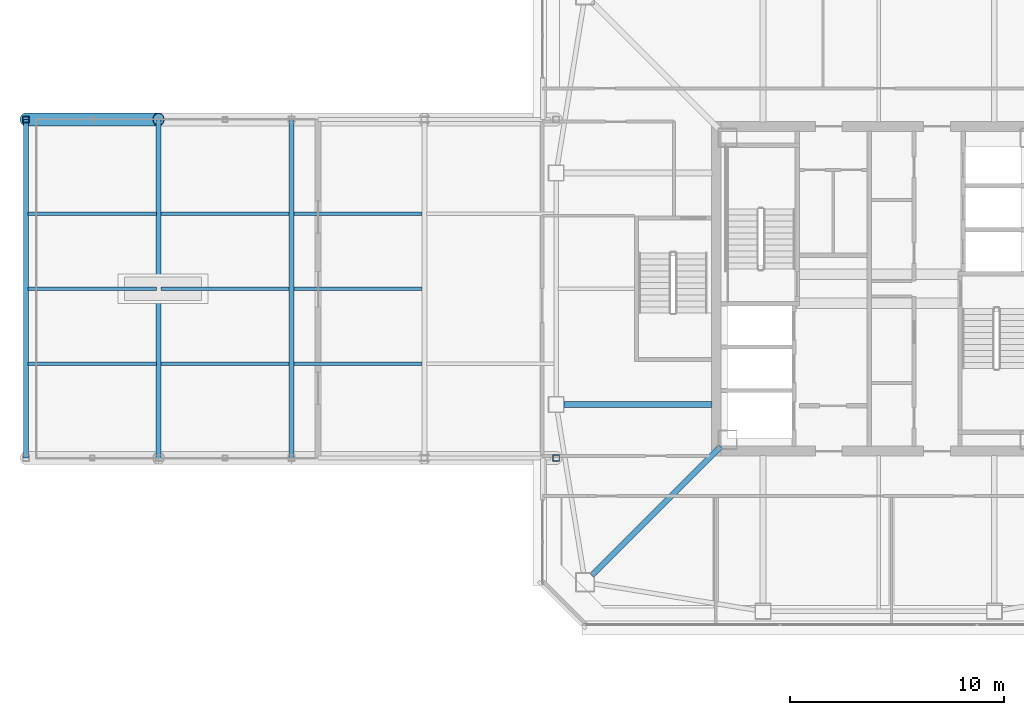
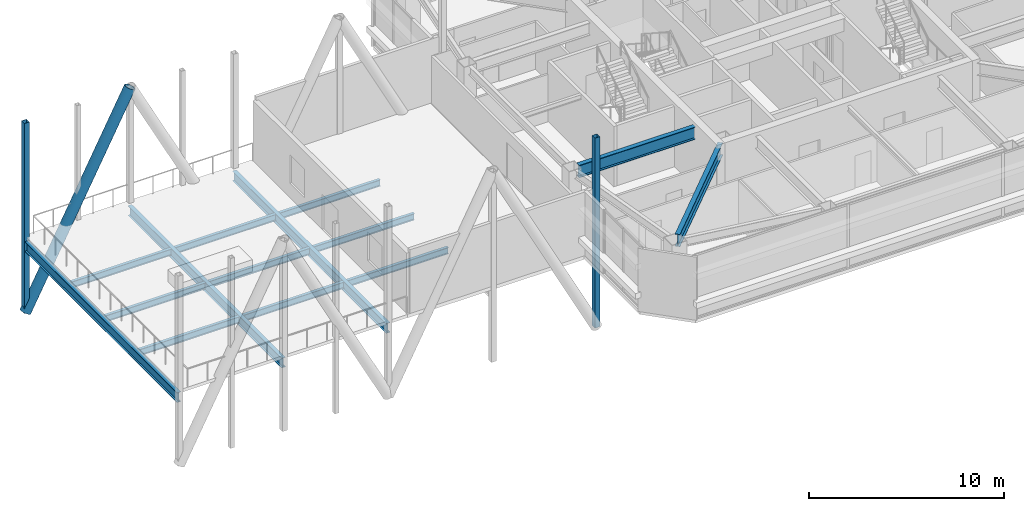
# One storey, part 7 of 53: 14 beams, 3 members.
"""IFC4 building model written with IfcOpenShell, lengths in metres."""

from ifc_helpers import new_model, si_unit, direction, frame, origin, origin_2d, place, context, subcontext, project, spatial, hollow_rectangle, hollow_circle, i_section, extrude, material, material_profile, profile_set, type_object, element, save


model = new_model("IFC4")

# Units and contexts
model_context = context("Model", 3, precision=1e-05, world=origin(), true_north=direction((0.0, 1.0)))
body_context = subcontext(model_context, "Body", "Model", "MODEL_VIEW")
ifc_project = project(units=[si_unit("LENGTHUNIT", "METRE"), si_unit("AREAUNIT", "SQUARE_METRE"), si_unit("VOLUMEUNIT", "CUBIC_METRE"), si_unit("PLANEANGLEUNIT", "RADIAN"), si_unit("MASSUNIT", "GRAM", prefix="KILO")], contexts=[model_context])

# Site, building, storey
site_placement = place(None, origin())
site = spatial("IfcSite", under=ifc_project, at=site_placement, CompositionType="ELEMENT")
building_placement = place(site_placement, origin())
building = spatial("IfcBuilding", under=site, at=building_placement, Name="Tashvorn Skyway Center", CompositionType="ELEMENT")
storey_placement = place(building_placement, frame((0.0, 0.0, 255.39990234375)))
storey = spatial("IfcBuildingStorey", under=building, at=storey_placement, Name="L69", CompositionType="ELEMENT", Elevation=255.39990234375)

# Beams
ifc_material_1 = material(Name="Steel ASTM A992 Grade 50", Category="steel")
ifc_material_profile_1 = material_profile(ifc_material_1, i_section(OverallWidth=0.22998046875, OverallDepth=0.616943359375, WebThickness=0.01318359375, FlangeThickness=0.022216796875, at=origin_2d()), Name="W24X94")
ifc_profile_set_1 = profile_set([ifc_material_profile_1], Name="Steel ASTM A992 Grade 50")
beam_type_1 = type_object("IfcBeamType", Name="BM-BEAM-W24X94", PredefinedType="BEAM", material=ifc_profile_set_1)
for number, where, z_axis, x_axis, name in (
    (1, (2.199951171875, 24.10009765625, -0.5283203125), (0.0, 1.0, 0.0), (-1.0, 0.0, 0.0), "Sky-Park L69 Transverse Floor Beam 01"),
    (2, (8.39990234375, 24.10009765625, -0.5283203125), (0.0, 1.0, 0.0), (-1.0, 0.0, 0.0), "Sky-Park L69 Transverse Floor Beam 02"),
    (3, (14.60009765625, 24.10009765625, -0.5283203125), (0.0, 1.0, 0.0), (-1.0, 0.0, 0.0), "Sky-Park L69 Transverse Floor Beam 03"),
):
    element("IfcBeam", number, at=place(storey_placement, frame(where, z_axis=z_axis, x_axis=x_axis)), inside=storey, type_object=beam_type_1, Name=name, PredefinedType="BEAM", context=body_context, shape_type="SweptSolid", body=[
        extrude(i_section(OverallWidth=0.22998046875, OverallDepth=0.616943359375, WebThickness=0.01318359375, FlangeThickness=0.022216796875, at=origin_2d()), origin(), (0.0, 0.0, 1.0), 15.7998046875),
    ])
ifc_material_profile_2 = material_profile(ifc_material_1, i_section(OverallWidth=0.26708984375, OverallDepth=0.779052734375, WebThickness=0.0166015625, FlangeThickness=0.030029296875, at=origin_2d()), Name="W30X148")
ifc_profile_set_2 = profile_set([ifc_material_profile_2], Name="Steel ASTM A992 Grade 50")
beam_type_2 = type_object("IfcBeamType", Name="BM-BEAM-W30X148", PredefinedType="BEAM", material=ifc_profile_set_2)
beam_1_placement = place(storey_placement, frame((28.61474609375, 18.61474609375, 3.390625), z_axis=(0.707106781187, 0.707106781187, 0.0), x_axis=(-0.707106781187, 0.707106781187, 0.0)))
element("IfcBeam", 4, at=beam_1_placement, inside=storey, type_object=beam_type_2, Name="Tower 1 L69 Primary Floor Girder MC-SW", PredefinedType="BEAM", context=body_context, shape_type="SweptSolid", body=[
    extrude(i_section(OverallWidth=0.26708984375, OverallDepth=0.779052734375, WebThickness=0.0166015625, FlangeThickness=0.030029296875, at=origin_2d()), origin(), (0.0, 0.0, 1.0), 8.514404296875),
])
beam_2_placement = place(storey_placement, frame((27.320068359375, 26.60009765625, 3.390625), z_axis=(1.0, 0.0, 0.0), x_axis=(0.0, 1.0, 0.0)))
element("IfcBeam", 5, at=beam_2_placement, inside=storey, type_object=beam_type_2, Name="Tower 1 L69 Primary Floor Girder FC-W2", PredefinedType="BEAM", context=body_context, shape_type="SweptSolid", body=[
    extrude(i_section(OverallWidth=0.26708984375, OverallDepth=0.779052734375, WebThickness=0.0166015625, FlangeThickness=0.030029296875, at=origin_2d()), origin(), (0.0, 0.0, 1.0), 6.89990234375),
])
ifc_material_profile_3 = material_profile(ifc_material_1, i_section(OverallWidth=0.177978515625, OverallDepth=0.406005859375, WebThickness=0.0078125, FlangeThickness=0.0126953125, at=origin_2d()), Name="W16X40")
ifc_profile_set_3 = profile_set([ifc_material_profile_3], Name="Steel ASTM A992 Grade 50")
beam_type_3 = type_object("IfcBeamType", Name="BM-JOIST-W16X40", PredefinedType="JOIST", material=ifc_profile_set_3)
for number, where, z_axis, x_axis, name in (
    (6, (2.306884765625, 28.5, -0.4228515625), (1.0, 0.0, 0.0), (0.0, 1.0, 0.0), "Sky-Park L69 Longitudinal Joist 01-1"),
    (7, (2.306884765625, 32.0, -0.4228515625), (1.0, 0.0, 0.0), (0.0, 1.0, 0.0), "Sky-Park L69 Longitudinal Joist 01-2"),
    (8, (2.306884765625, 35.5, -0.4228515625), (1.0, 0.0, 0.0), (0.0, 1.0, 0.0), "Sky-Park L69 Longitudinal Joist 01-3"),
):
    element("IfcBeam", number, at=place(storey_placement, frame(where, z_axis=z_axis, x_axis=x_axis)), inside=storey, type_object=beam_type_3, Name=name, PredefinedType="JOIST", context=body_context, shape_type="SweptSolid", body=[
        extrude(i_section(OverallWidth=0.177978515625, OverallDepth=0.406005859375, WebThickness=0.0078125, FlangeThickness=0.0126953125, at=origin_2d()), origin(), (0.0, 0.0, 1.0), 5.986083984375),
    ])
for number, where, z_axis, x_axis, name in (
    (9, (8.507080078125, 28.5, -0.4228515625), (1.0, 0.0, 0.0), (0.0, 1.0, 0.0), "Sky-Park L69 Longitudinal Joist 02-1"),
    (10, (8.507080078125, 32.0, -0.4228515625), (1.0, 0.0, 0.0), (0.0, 1.0, 0.0), "Sky-Park L69 Longitudinal Joist 02-2"),
    (11, (8.507080078125, 35.5, -0.4228515625), (1.0, 0.0, 0.0), (0.0, 1.0, 0.0), "Sky-Park L69 Longitudinal Joist 02-3"),
):
    element("IfcBeam", number, at=place(storey_placement, frame(where, z_axis=z_axis, x_axis=x_axis)), inside=storey, type_object=beam_type_3, Name=name, PredefinedType="JOIST", context=body_context, shape_type="SweptSolid", body=[
        extrude(i_section(OverallWidth=0.177978515625, OverallDepth=0.406005859375, WebThickness=0.0078125, FlangeThickness=0.0126953125, at=origin_2d()), origin(), (0.0, 0.0, 1.0), 5.98583984375),
    ])
for number, where, z_axis, x_axis, name in (
    (12, (14.70703125, 28.5, -0.4228515625), (1.0, 0.0, 0.0), (0.0, 1.0, 0.0), "Sky-Park L69 Longitudinal Joist 03-1"),
    (13, (14.70703125, 32.0, -0.4228515625), (1.0, 0.0, 0.0), (0.0, 1.0, 0.0), "Sky-Park L69 Longitudinal Joist 03-2"),
    (14, (14.70703125, 35.5, -0.4228515625), (1.0, 0.0, 0.0), (0.0, 1.0, 0.0), "Sky-Park L69 Longitudinal Joist 03-3"),
):
    element("IfcBeam", number, at=place(storey_placement, frame(where, z_axis=z_axis, x_axis=x_axis)), inside=storey, type_object=beam_type_3, Name=name, PredefinedType="JOIST", context=body_context, shape_type="SweptSolid", body=[
        extrude(i_section(OverallWidth=0.177978515625, OverallDepth=0.406005859375, WebThickness=0.0078125, FlangeThickness=0.0126953125, at=origin_2d()), origin(), (0.0, 0.0, 1.0), 5.986083984375),
    ])

# Members
ifc_material_2 = material(Name="Steel ASTM A572 Grade 50", Category="steel")
ifc_material_profile_4 = material_profile(ifc_material_2, hollow_circle(Radius=0.304931640625, WallThickness=0.02490234375, at=origin_2d()), Name="CHS610x25")
ifc_profile_set_4 = profile_set([ifc_material_profile_4], Name="Steel ASTM A572 Grade 50")
member_type_1 = type_object("IfcMemberType", Name="MEM-SP-DIA-610", PredefinedType="BRACE", material=ifc_profile_set_4)
member_placement = place(storey_placement, frame((2.199951171875, 39.89990234375, -4.725341796875), z_axis=(0.461445990735, 0.0, 0.88716830288), x_axis=(0.0, 1.0, 0.0)))
element("IfcMember", 15, at=member_placement, inside=storey, type_object=member_type_1, Name="Sky-Park Truss 2 Web Diagonal 01", PredefinedType="BRACE", context=body_context, shape_type="SweptSolid", body=[
    extrude(hollow_circle(Radius=0.304931640625, WallThickness=0.02490234375, at=origin_2d()), origin(), (0.0, 0.0, 1.0), 13.43603515625),
])
ifc_material_profile_5 = material_profile(ifc_material_2, hollow_rectangle(XDim=0.300048828125, YDim=0.300048828125, WallThickness=0.012451171875, at=origin_2d()), Name="HSS300x300x12.5")
ifc_profile_set_5 = profile_set([ifc_material_profile_5], Name="Steel ASTM A572 Grade 50")
member_type_2 = type_object("IfcMemberType", Name="MEM-SP-PST-300", PredefinedType="POST", material=ifc_profile_set_5)
for number, where, z_axis, x_axis, name in (
    (16, (26.949951171875, 24.10009765625, -4.725341796875), (0.0, 0.0, 1.0), (1.0, 0.0, 0.0), "Sky-Park Truss 1 Vertical Post 05"),
    (17, (2.199951171875, 39.89990234375, -4.725341796875), (0.0, 0.0, 1.0), (1.0, 0.0, 0.0), "Sky-Park Truss 2 Vertical Post 01"),
):
    element("IfcMember", number, at=place(storey_placement, frame(where, z_axis=z_axis, x_axis=x_axis)), inside=storey, type_object=member_type_2, Name=name, PredefinedType="POST", context=body_context, shape_type="SweptSolid", body=[
        extrude(hollow_rectangle(XDim=0.300048828125, YDim=0.300048828125, WallThickness=0.012451171875, at=origin_2d()), origin(), (0.0, 0.0, 1.0), 11.919921875),
    ])

save(model, "model.ifc")
